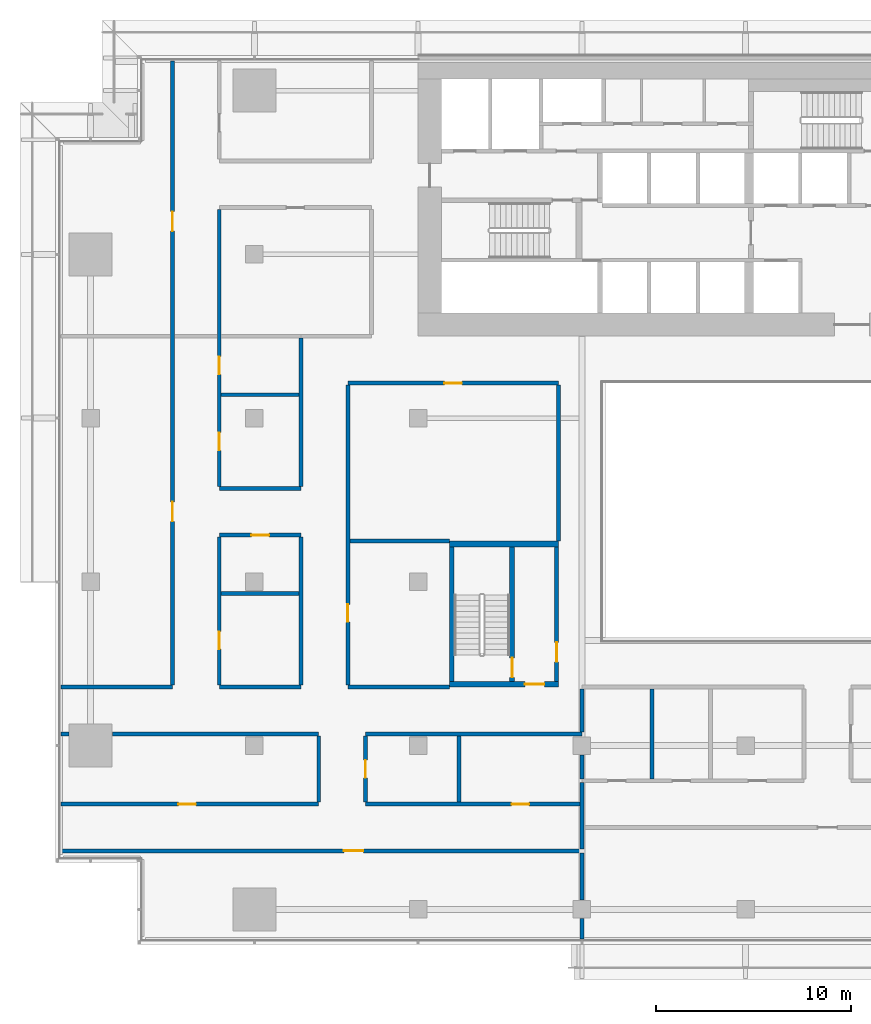
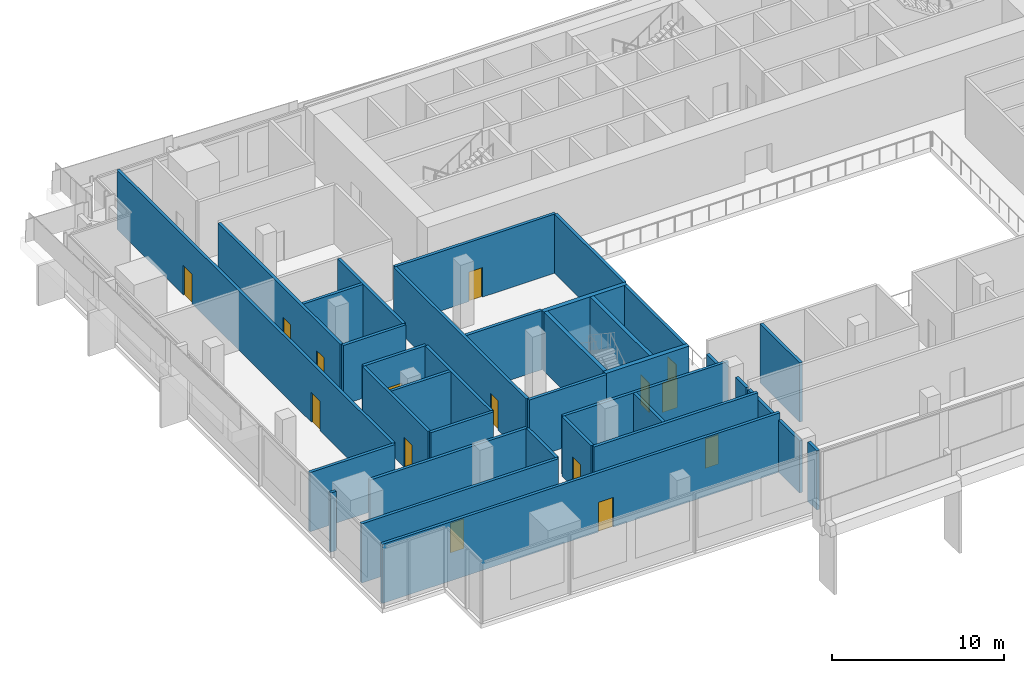
# One storey, part 13 of 24: 36 walls, 15 doors, 15 openings.
"""IFC4 building model written with IfcOpenShell, lengths in metres."""

from ifc_helpers import new_model, si_unit, direction, frame, frame_2d, origin, place, context, subcontext, project, spatial, rectangle, extrude, material, layer, layer_set, type_object, element, fill, save


model = new_model("IFC4")

# Units and contexts
model_context = context("Model", 3, precision=1e-05, world=origin(), true_north=direction((0.0, 1.0)))
body_context = subcontext(model_context, "Body", "Model", "MODEL_VIEW")
ifc_project = project(units=[si_unit("LENGTHUNIT", "METRE"), si_unit("AREAUNIT", "SQUARE_METRE"), si_unit("VOLUMEUNIT", "CUBIC_METRE"), si_unit("PLANEANGLEUNIT", "RADIAN"), si_unit("MASSUNIT", "GRAM", prefix="KILO")], contexts=[model_context])

# Site, building, storey
site_placement = place(None, origin())
site = spatial("IfcSite", under=ifc_project, at=site_placement, CompositionType="ELEMENT")
building_placement = place(site_placement, origin())
building = spatial("IfcBuilding", under=site, at=building_placement, Name="Saffron Gate Tower", CompositionType="ELEMENT")
storey_placement = place(building_placement, frame((0.0, 0.0, 28.199951171875)))
storey = spatial("IfcBuildingStorey", under=building, at=storey_placement, Name="L05", CompositionType="ELEMENT", Elevation=28.199951171875)

# Wall, opening, door
ifc_material_1 = material(Name="Gypsum board partition on steel studs", Category="steel")
ifc_layer_1 = layer(ifc_material_1, 0.199951171875)
ifc_layer_set_1 = layer_set([ifc_layer_1], Name="CW10 Core partition 200")
wall_type_1 = type_object("IfcWallType", Name="CW10 Core partition 200", PredefinedType="PARTITIONING", material=ifc_layer_set_1)
wall_1_placement = place(storey_placement, frame((73.699951171875, 43.5, 0.0), z_axis=(0.0, 0.0, 1.0), x_axis=(0.0, 1.0, 0.0)))
wall_1 = element("IfcWall", 1, at=wall_1_placement, inside=storey, type_object=wall_type_1, Name="Wall CW10-L05-D-4", PredefinedType="PARTITIONING", context=body_context, shape_type="SweptSolid", body=[
    extrude(rectangle(XDim=6.89990234375, YDim=0.199951171875, at=frame_2d((3.449951171875, 0.0))), origin(), (0.0, 0.0, 1.0), 4.199951171875),
])
opening_1_placement = place(wall_1_placement, frame((1.0, 0.0, 0.0)))
opening_1 = element("IfcOpeningElement", 2, at=opening_1_placement, cuts=wall_1, Name="Opening CR-19", PredefinedType="OPENING", context=body_context, shape_type="SweptSolid", body=[
    extrude(rectangle(XDim=1.0, YDim=2.10009765625, at=frame_2d((0.5, 1.050048828125))), frame((0.0, 0.10986328125, 0.0), z_axis=(0.0, -1.0, 0.0), x_axis=(1.0, 0.0, 0.0)), (0.0, 0.0, 1.0), 0.219970703125),
])
ifc_material_2 = material(Name="Steel fire door set", Category="steel")
door_type_1 = type_object("IfcDoorType", Name="CD4 Lobby door 1000x2100 EI 120", OperationType="NOTDEFINED", PredefinedType="DOOR", material=ifc_material_2)
door_1_placement = place(opening_1_placement, origin())
door_1 = element("IfcDoor", 3, at=door_1_placement, inside=storey, type_object=door_type_1, Name="DOOR CR-19", OperationType="SINGLE_SWING_RIGHT", OverallHeight=2.10009765625, OverallWidth=1.0, PredefinedType="DOOR", context=body_context, shape_type="SweptSolid", body=[
    extrude(rectangle(XDim=1.0, YDim=2.10009765625, at=frame_2d((0.5, 1.050048828125))), frame((0.0, 0.02490234375, 0.0), z_axis=(0.0, -1.0, 0.0), x_axis=(1.0, 0.0, 0.0)), (0.0, 0.0, 1.0), 0.050048828125),
])
fill(opening_1, door_1)

# Wall
ifc_material_3 = material(Name="Concrete C70", Category="concrete")
ifc_layer_2 = layer(ifc_material_3, 0.25)
ifc_layer_set_2 = layer_set([ifc_layer_2], Name="CW2 RC core wall 250 C70")
wall_type_2 = type_object("IfcWallType", Name="CW2 RC core wall 250 C70", PredefinedType="SOLIDWALL", material=ifc_layer_set_2)
wall_2_placement = place(storey_placement, frame((68.324951171875, 43.5, 0.0), z_axis=(0.0, 0.0, 1.0), x_axis=(0.0, 1.0, 0.0)))
element("IfcWall", 4, at=wall_2_placement, inside=storey, type_object=wall_type_2, Name="Wall CW2-L05-D-2", PredefinedType="SOLIDWALL", context=body_context, shape_type="SweptSolid", body=[
    extrude(rectangle(XDim=6.89990234375, YDim=0.25, at=frame_2d((3.449951171875, 0.0))), origin(), (0.0, 0.0, 1.0), 4.199951171875),
])

# Wall, opening, door
wall_3_placement = place(storey_placement, frame((71.425048828125, 43.5, 0.0), z_axis=(0.0, 0.0, 1.0), x_axis=(0.0, 1.0, 0.0)))
wall_3 = element("IfcWall", 5, at=wall_3_placement, inside=storey, type_object=wall_type_2, Name="Wall CW2-L05-D-3", PredefinedType="SOLIDWALL", context=body_context, shape_type="SweptSolid", body=[
    extrude(rectangle(XDim=6.89990234375, YDim=0.25, at=frame_2d((3.449951171875, 0.0))), origin(), (0.0, 0.0, 1.0), 4.199951171875),
])
opening_2_placement = place(wall_3_placement, frame((0.199951171875, 0.0, 0.0)))
opening_2 = element("IfcOpeningElement", 6, at=opening_2_placement, cuts=wall_3, Name="Opening CR-20", PredefinedType="OPENING", context=body_context, shape_type="SweptSolid", body=[
    extrude(rectangle(XDim=1.0, YDim=2.10009765625, at=frame_2d((0.5, 1.050048828125))), frame((0.0, 0.135009765625, 0.0), z_axis=(0.0, -1.0, 0.0), x_axis=(1.0, 0.0, 0.0)), (0.0, 0.0, 1.0), 0.27001953125),
])
door_type_2 = type_object("IfcDoorType", Name="CD5 Stair door 1000x2100 EI 120", OperationType="NOTDEFINED", PredefinedType="DOOR", material=ifc_material_2)
door_2_placement = place(opening_2_placement, origin())
door_2 = element("IfcDoor", 7, at=door_2_placement, inside=storey, type_object=door_type_2, Name="DOOR CR-20", OperationType="SINGLE_SWING_LEFT", OverallHeight=2.10009765625, OverallWidth=1.0, PredefinedType="DOOR", context=body_context, shape_type="SweptSolid", body=[
    extrude(rectangle(XDim=1.0, YDim=2.10009765625, at=frame_2d((0.5, 1.050048828125))), frame((0.0, 0.02490234375, 0.0), z_axis=(0.0, -1.0, 0.0), x_axis=(1.0, 0.0, 0.0)), (0.0, 0.0, 1.0), 0.050048828125),
])
fill(opening_2, door_2)

ifc_layer_3 = layer(ifc_material_3, 0.300048828125)
ifc_layer_set_3 = layer_set([ifc_layer_3], Name="CW5 RC core wall 300 C70")
wall_type_3 = type_object("IfcWallType", Name="CW5 RC core wall 300 C70", PredefinedType="SOLIDWALL", material=ifc_layer_set_3)
wall_4_placement = place(storey_placement, frame((68.199951171875, 43.35009765625, 0.0), z_axis=(0.0, 0.0, 1.0), x_axis=(1.0, 0.0, 0.0)))
wall_4 = element("IfcWall", 8, at=wall_4_placement, inside=storey, type_object=wall_type_3, Name="Wall CW5-L05-D-1", PredefinedType="SOLIDWALL", context=body_context, shape_type="SweptSolid", body=[
    extrude(rectangle(XDim=5.60009765625, YDim=0.300048828125, at=frame_2d((2.800048828125, 0.0))), origin(), (0.0, 0.0, 1.0), 4.199951171875),
])
opening_3_placement = place(wall_4_placement, frame((3.875, 0.0, 0.0)))
opening_3 = element("IfcOpeningElement", 9, at=opening_3_placement, cuts=wall_4, Name="Opening CR-18", PredefinedType="OPENING", context=body_context, shape_type="SweptSolid", body=[
    extrude(rectangle(XDim=1.0, YDim=2.10009765625, at=frame_2d((0.5, 1.050048828125))), frame((0.0, 0.16015625, 0.0), z_axis=(0.0, -1.0, 0.0), x_axis=(1.0, 0.0, 0.0)), (0.0, 0.0, 1.0), 0.320068359375),
])
door_3_placement = place(opening_3_placement, origin())
door_3 = element("IfcDoor", 10, at=door_3_placement, inside=storey, type_object=door_type_1, Name="DOOR CR-18", OperationType="SINGLE_SWING_RIGHT", OverallHeight=2.10009765625, OverallWidth=1.0, PredefinedType="DOOR", context=body_context, shape_type="SweptSolid", body=[
    extrude(rectangle(XDim=1.0, YDim=2.10009765625, at=frame_2d((0.5, 1.050048828125))), frame((0.0, 0.02490234375, 0.0), z_axis=(0.0, -1.0, 0.0), x_axis=(1.0, 0.0, 0.0)), (0.0, 0.0, 1.0), 0.050048828125),
])
fill(opening_3, door_3)

# Wall
wall_5_placement = place(storey_placement, frame((68.199951171875, 50.550048828125, 0.0), z_axis=(0.0, 0.0, 1.0), x_axis=(1.0, 0.0, 0.0)))
element("IfcWall", 11, at=wall_5_placement, inside=storey, type_object=wall_type_3, Name="Wall CW5-L05-D-5", PredefinedType="SOLIDWALL", context=body_context, shape_type="SweptSolid", body=[
    extrude(rectangle(XDim=5.60009765625, YDim=0.300048828125, at=frame_2d((2.800048828125, 0.0))), origin(), (0.0, 0.0, 1.0), 4.199951171875),
])

# Wall, opening, door
ifc_material_4 = material(Name="Clay brick masonry, rendered", Category="masonry")
ifc_layer_4 = layer(ifc_material_4, 0.199951171875)
ifc_layer_set_4 = layer_set([ifc_layer_4], Name="PW3 Corridor wall 200")
wall_type_4 = type_object("IfcWallType", Name="PW3 Corridor wall 200", PredefinedType="PARTITIONING", material=ifc_layer_set_4)
wall_6_placement = place(storey_placement, frame((75.0, 34.800048828125, 0.0), z_axis=(0.0, 0.0, 1.0), x_axis=(-1.0, 0.0, 0.0)))
wall_6 = element("IfcWall", 12, at=wall_6_placement, inside=storey, type_object=wall_type_4, Name="Wall S2-1", PredefinedType="PARTITIONING", context=body_context, shape_type="SweptSolid", body=[
    extrude(rectangle(XDim=26.719970703125, YDim=0.199951171875, at=frame_2d((13.35986328125, 0.0))), origin(), (0.0, 0.0, 1.0), 4.199951171875),
])
opening_4_placement = place(wall_6_placement, frame((11.203857421875, 0.0, 0.0)))
opening_4 = element("IfcOpeningElement", 13, at=opening_4_placement, cuts=wall_6, Name="Opening S2-32", PredefinedType="OPENING", context=body_context, shape_type="SweptSolid", body=[
    extrude(rectangle(XDim=1.0, YDim=2.10009765625, at=frame_2d((0.5, 1.050048828125))), frame((0.0, 0.10986328125, 0.0), z_axis=(0.0, -1.0, 0.0), x_axis=(1.0, 0.0, 0.0)), (0.0, 0.0, 1.0), 0.219970703125),
])
ifc_material_5 = material(Name="Timber door set", Category="wood")
door_type_3 = type_object("IfcDoorType", Name="HD1 Hall door 1200x2100", OperationType="NOTDEFINED", PredefinedType="DOOR", material=ifc_material_5)
door_4_placement = place(opening_4_placement, origin())
door_4 = element("IfcDoor", 14, at=door_4_placement, inside=storey, type_object=door_type_3, Name="Door S2-32", OperationType="SINGLE_SWING_LEFT", OverallHeight=2.10009765625, OverallWidth=1.0, PredefinedType="DOOR", context=body_context, shape_type="SweptSolid", body=[
    extrude(rectangle(XDim=1.0, YDim=2.10009765625, at=frame_2d((0.5, 1.050048828125))), frame((0.0, 0.02490234375, 0.0), z_axis=(0.0, -1.0, 0.0), x_axis=(1.0, 0.0, 0.0)), (0.0, 0.0, 1.0), 0.050048828125),
])
fill(opening_4, door_4)

wall_7_placement = place(storey_placement, frame((48.280029296875, 37.199951171875, 0.0), z_axis=(0.0, 0.0, 1.0), x_axis=(1.0, 0.0, 0.0)))
wall_7 = element("IfcWall", 15, at=wall_7_placement, inside=storey, type_object=wall_type_4, Name="Wall S2-4", PredefinedType="PARTITIONING", context=body_context, shape_type="SweptSolid", body=[
    extrude(rectangle(XDim=13.219970703125, YDim=0.199951171875, at=frame_2d((6.60986328125, 0.0))), origin(), (0.0, 0.0, 1.0), 4.199951171875),
])
opening_5_placement = place(wall_7_placement, frame((6.02001953125, 0.0, 0.0)))
opening_5 = element("IfcOpeningElement", 16, at=opening_5_placement, cuts=wall_7, Name="Opening S2-6", PredefinedType="OPENING", context=body_context, shape_type="SweptSolid", body=[
    extrude(rectangle(XDim=0.89990234375, YDim=2.10009765625, at=frame_2d((0.449951171875, 1.050048828125))), frame((0.0, 0.10986328125, 0.0), z_axis=(0.0, -1.0, 0.0), x_axis=(1.0, 0.0, 0.0)), (0.0, 0.0, 1.0), 0.219970703125),
])
door_type_4 = type_object("IfcDoorType", Name="RD1 Room door 900x2100", OperationType="NOTDEFINED", PredefinedType="DOOR", material=ifc_material_5)
door_5_placement = place(opening_5_placement, origin())
door_5 = element("IfcDoor", 17, at=door_5_placement, inside=storey, type_object=door_type_4, Name="Door S2-6", OperationType="SINGLE_SWING_LEFT", OverallHeight=2.10009765625, OverallWidth=0.89990234375, PredefinedType="DOOR", context=body_context, shape_type="SweptSolid", body=[
    extrude(rectangle(XDim=0.89990234375, YDim=2.10009765625, at=frame_2d((0.449951171875, 1.050048828125))), frame((0.0, 0.02490234375, 0.0), z_axis=(0.0, -1.0, 0.0), x_axis=(1.0, 0.0, 0.0)), (0.0, 0.0, 1.0), 0.050048828125),
])
fill(opening_5, door_5)

wall_8_placement = place(storey_placement, frame((63.89990234375, 37.199951171875, 0.0), z_axis=(0.0, 0.0, 1.0), x_axis=(1.0, 0.0, 0.0)))
wall_8 = element("IfcWall", 18, at=wall_8_placement, inside=storey, type_object=wall_type_4, Name="Wall S2-5", PredefinedType="PARTITIONING", context=body_context, shape_type="SweptSolid", body=[
    extrude(rectangle(XDim=11.0, YDim=0.199951171875, at=frame_2d((5.5, 0.0))), origin(), (0.0, 0.0, 1.0), 4.199951171875),
])
opening_6_placement = place(wall_8_placement, frame((7.5, 0.0, 0.0)))
opening_6 = element("IfcOpeningElement", 19, at=opening_6_placement, cuts=wall_8, Name="Opening S2-8", PredefinedType="OPENING", context=body_context, shape_type="SweptSolid", body=[
    extrude(rectangle(XDim=0.89990234375, YDim=2.10009765625, at=frame_2d((0.449951171875, 1.050048828125))), frame((0.0, 0.10986328125, 0.0), z_axis=(0.0, -1.0, 0.0), x_axis=(1.0, 0.0, 0.0)), (0.0, 0.0, 1.0), 0.219970703125),
])
door_6_placement = place(opening_6_placement, origin())
door_6 = element("IfcDoor", 20, at=door_6_placement, inside=storey, type_object=door_type_4, Name="Door S2-8", OperationType="SINGLE_SWING_RIGHT", OverallHeight=2.10009765625, OverallWidth=0.89990234375, PredefinedType="DOOR", context=body_context, shape_type="SweptSolid", body=[
    extrude(rectangle(XDim=0.89990234375, YDim=2.10009765625, at=frame_2d((0.449951171875, 1.050048828125))), frame((0.0, 0.02490234375, 0.0), z_axis=(0.0, -1.0, 0.0), x_axis=(1.0, 0.0, 0.0)), (0.0, 0.0, 1.0), 0.050048828125),
])
fill(opening_6, door_6)

# Walls
wall_9_placement = place(storey_placement, frame((48.280029296875, 40.800048828125, 0.0), z_axis=(0.0, 0.0, 1.0), x_axis=(1.0, 0.0, 0.0)))
element("IfcWall", 21, at=wall_9_placement, inside=storey, type_object=wall_type_4, Name="Wall S2-10", PredefinedType="PARTITIONING", context=body_context, shape_type="SweptSolid", body=[
    extrude(rectangle(XDim=0.39990234375, YDim=0.199951171875, at=frame_2d((0.199951171875, 0.0))), origin(), (0.0, 0.0, 1.0), 4.199951171875),
])
wall_10_placement = place(storey_placement, frame((50.919921875, 40.800048828125, 0.0), z_axis=(0.0, 0.0, 1.0), x_axis=(1.0, 0.0, 0.0)))
element("IfcWall", 22, at=wall_10_placement, inside=storey, type_object=wall_type_4, Name="Wall S2-11", PredefinedType="PARTITIONING", context=body_context, shape_type="SweptSolid", body=[
    extrude(rectangle(XDim=10.580078125, YDim=0.199951171875, at=frame_2d((5.2900390625, 0.0))), origin(), (0.0, 0.0, 1.0), 4.199951171875),
])
wall_11_placement = place(storey_placement, frame((63.89990234375, 40.800048828125, 0.0), z_axis=(0.0, 0.0, 1.0), x_axis=(1.0, 0.0, 0.0)))
element("IfcWall", 23, at=wall_11_placement, inside=storey, type_object=wall_type_4, Name="Wall S2-12", PredefinedType="PARTITIONING", context=body_context, shape_type="SweptSolid", body=[
    extrude(rectangle(XDim=11.10009765625, YDim=0.199951171875, at=frame_2d((5.550048828125, 0.0))), origin(), (0.0, 0.0, 1.0), 4.199951171875),
])
wall_12_placement = place(storey_placement, frame((48.280029296875, 43.199951171875, 0.0), z_axis=(0.0, 0.0, 1.0), x_axis=(1.0, 0.0, 0.0)))
element("IfcWall", 24, at=wall_12_placement, inside=storey, type_object=wall_type_4, Name="Wall S2-16", PredefinedType="PARTITIONING", context=body_context, shape_type="SweptSolid", body=[
    extrude(rectangle(XDim=5.719970703125, YDim=0.199951171875, at=frame_2d((2.85986328125, 0.0))), origin(), (0.0, 0.0, 1.0), 4.199951171875),
])
wall_13_placement = place(storey_placement, frame((56.39990234375, 43.199951171875, 0.0), z_axis=(0.0, 0.0, 1.0), x_axis=(1.0, 0.0, 0.0)))
element("IfcWall", 25, at=wall_13_placement, inside=storey, type_object=wall_type_4, Name="Wall S2-17", PredefinedType="PARTITIONING", context=body_context, shape_type="SweptSolid", body=[
    extrude(rectangle(XDim=4.2001953125, YDim=0.199951171875, at=frame_2d((2.10009765625, 0.0))), origin(), (0.0, 0.0, 1.0), 4.199951171875),
])
wall_14_placement = place(storey_placement, frame((63.0, 43.199951171875, 0.0), z_axis=(0.0, 0.0, 1.0), x_axis=(1.0, 0.0, 0.0)))
element("IfcWall", 26, at=wall_14_placement, inside=storey, type_object=wall_type_4, Name="Wall S2-18", PredefinedType="PARTITIONING", context=body_context, shape_type="SweptSolid", body=[
    extrude(rectangle(XDim=5.199951171875, YDim=0.199951171875, at=frame_2d((2.60009765625, 0.0))), origin(), (0.0, 0.0, 1.0), 4.199951171875),
])

# Wall, opening, door
wall_15_placement = place(storey_placement, frame((60.60009765625, 51.0, 0.0), z_axis=(0.0, 0.0, 1.0), x_axis=(-1.0, 0.0, 0.0)))
wall_15 = element("IfcWall", 27, at=wall_15_placement, inside=storey, type_object=wall_type_4, Name="Wall S2-28", PredefinedType="PARTITIONING", context=body_context, shape_type="SweptSolid", body=[
    extrude(rectangle(XDim=4.2001953125, YDim=0.199951171875, at=frame_2d((2.10009765625, 0.0))), origin(), (0.0, 0.0, 1.0), 4.199951171875),
])
opening_7_placement = place(wall_15_placement, frame((1.64990234375, 0.0, 0.0)))
opening_7 = element("IfcOpeningElement", 28, at=opening_7_placement, cuts=wall_15, Name="Opening S2-19", PredefinedType="OPENING", context=body_context, shape_type="SweptSolid", body=[
    extrude(rectangle(XDim=0.89990234375, YDim=2.10009765625, at=frame_2d((0.449951171875, 1.050048828125))), frame((0.0, 0.10986328125, 0.0), z_axis=(0.0, -1.0, 0.0), x_axis=(1.0, 0.0, 0.0)), (0.0, 0.0, 1.0), 0.219970703125),
])
door_7_placement = place(opening_7_placement, origin())
door_7 = element("IfcDoor", 29, at=door_7_placement, inside=storey, type_object=door_type_4, Name="Door S2-19", OperationType="SINGLE_SWING_RIGHT", OverallHeight=2.10009765625, OverallWidth=0.89990234375, PredefinedType="DOOR", context=body_context, shape_type="SweptSolid", body=[
    extrude(rectangle(XDim=0.89990234375, YDim=2.10009765625, at=frame_2d((0.449951171875, 1.050048828125))), frame((0.0, 0.02490234375, 0.0), z_axis=(0.0, -1.0, 0.0), x_axis=(1.0, 0.0, 0.0)), (0.0, 0.0, 1.0), 0.050048828125),
])
fill(opening_7, door_7)

# Wall
wall_16_placement = place(storey_placement, frame((56.39990234375, 53.39990234375, 0.0), z_axis=(0.0, 0.0, 1.0), x_axis=(1.0, 0.0, 0.0)))
element("IfcWall", 30, at=wall_16_placement, inside=storey, type_object=wall_type_4, Name="Wall S2-31", PredefinedType="PARTITIONING", context=body_context, shape_type="SweptSolid", body=[
    extrude(rectangle(XDim=4.2001953125, YDim=0.199951171875, at=frame_2d((2.10009765625, 0.0))), origin(), (0.0, 0.0, 1.0), 4.199951171875),
])

# Wall, opening, door
wall_17_placement = place(storey_placement, frame((73.800048828125, 58.800048828125, 0.0), z_axis=(0.0, 0.0, 1.0), x_axis=(-1.0, 0.0, 0.0)))
wall_17 = element("IfcWall", 31, at=wall_17_placement, inside=storey, type_object=wall_type_4, Name="Wall S2-38", PredefinedType="PARTITIONING", context=body_context, shape_type="SweptSolid", body=[
    extrude(rectangle(XDim=10.800048828125, YDim=0.199951171875, at=frame_2d((5.39990234375, 0.0))), origin(), (0.0, 0.0, 1.0), 4.199951171875),
])
opening_8_placement = place(wall_17_placement, frame((4.949951171875, 0.0, 0.0)))
opening_8 = element("IfcOpeningElement", 32, at=opening_8_placement, cuts=wall_17, Name="Opening S2-5", PredefinedType="OPENING", context=body_context, shape_type="SweptSolid", body=[
    extrude(rectangle(XDim=0.89990234375, YDim=2.10009765625, at=frame_2d((0.449951171875, 1.050048828125))), frame((0.0, 0.10986328125, 0.0), z_axis=(0.0, -1.0, 0.0), x_axis=(1.0, 0.0, 0.0)), (0.0, 0.0, 1.0), 0.219970703125),
])
door_8_placement = place(opening_8_placement, origin())
door_8 = element("IfcDoor", 33, at=door_8_placement, inside=storey, type_object=door_type_4, Name="Door S2-5", OperationType="SINGLE_SWING_LEFT", OverallHeight=2.10009765625, OverallWidth=0.89990234375, PredefinedType="DOOR", context=body_context, shape_type="SweptSolid", body=[
    extrude(rectangle(XDim=0.89990234375, YDim=2.10009765625, at=frame_2d((0.449951171875, 1.050048828125))), frame((0.0, 0.02490234375, 0.0), z_axis=(0.0, -1.0, 0.0), x_axis=(1.0, 0.0, 0.0)), (0.0, 0.0, 1.0), 0.050048828125),
])
fill(opening_8, door_8)

# Wall, openings, doors
wall_18_placement = place(storey_placement, frame((54.0, 43.300048828125, 0.0), z_axis=(0.0, 0.0, 1.0), x_axis=(0.0, 1.0, 0.0)))
wall_18 = element("IfcWall", 34, at=wall_18_placement, inside=storey, type_object=wall_type_4, Name="Wall S2-52", PredefinedType="PARTITIONING", context=body_context, shape_type="SweptSolid", body=[
    extrude(rectangle(XDim=32.02001953125, YDim=0.199951171875, at=frame_2d((16.010009765625, 0.0))), origin(), (0.0, 0.0, 1.0), 4.199951171875),
])
opening_9_placement = place(wall_18_placement, frame((8.39990234375, 0.0, 0.0)))
opening_9 = element("IfcOpeningElement", 35, at=opening_9_placement, cuts=wall_18, Name="Opening S2-35", PredefinedType="OPENING", context=body_context, shape_type="SweptSolid", body=[
    extrude(rectangle(XDim=1.0, YDim=2.10009765625, at=frame_2d((0.5, 1.050048828125))), frame((0.0, 0.10986328125, 0.0), z_axis=(0.0, -1.0, 0.0), x_axis=(1.0, 0.0, 0.0)), (0.0, 0.0, 1.0), 0.219970703125),
])
opening_10_placement = place(wall_18_placement, frame((23.29150390625, 0.0, 0.0)))
opening_10 = element("IfcOpeningElement", 36, at=opening_10_placement, cuts=wall_18, Name="Opening S2-36", PredefinedType="OPENING", context=body_context, shape_type="SweptSolid", body=[
    extrude(rectangle(XDim=1.0, YDim=2.10009765625, at=frame_2d((0.5, 1.050048828125))), frame((0.0, 0.10986328125, 0.0), z_axis=(0.0, -1.0, 0.0), x_axis=(1.0, 0.0, 0.0)), (0.0, 0.0, 1.0), 0.219970703125),
])
door_9_placement = place(opening_9_placement, origin())
door_9 = element("IfcDoor", 37, at=door_9_placement, inside=storey, type_object=door_type_3, Name="Door S2-35", OperationType="SINGLE_SWING_LEFT", OverallHeight=2.10009765625, OverallWidth=1.0, PredefinedType="DOOR", context=body_context, shape_type="SweptSolid", body=[
    extrude(rectangle(XDim=1.0, YDim=2.10009765625, at=frame_2d((0.5, 1.050048828125))), frame((0.0, 0.02490234375, 0.0), z_axis=(0.0, -1.0, 0.0), x_axis=(1.0, 0.0, 0.0)), (0.0, 0.0, 1.0), 0.050048828125),
])
fill(opening_9, door_9)
door_10_placement = place(opening_10_placement, origin())
door_10 = element("IfcDoor", 38, at=door_10_placement, inside=storey, type_object=door_type_3, Name="Door S2-36", OperationType="SINGLE_SWING_LEFT", OverallHeight=2.10009765625, OverallWidth=1.0, PredefinedType="DOOR", context=body_context, shape_type="SweptSolid", body=[
    extrude(rectangle(XDim=1.0, YDim=2.10009765625, at=frame_2d((0.5, 1.050048828125))), frame((0.0, 0.02490234375, 0.0), z_axis=(0.0, -1.0, 0.0), x_axis=(1.0, 0.0, 0.0)), (0.0, 0.0, 1.0), 0.050048828125),
])
fill(opening_10, door_10)

# Wall, opening, door
wall_19_placement = place(storey_placement, frame((56.39990234375, 50.89990234375, 0.0), z_axis=(0.0, 0.0, 1.0), x_axis=(0.0, -1.0, 0.0)))
wall_19 = element("IfcWall", 39, at=wall_19_placement, inside=storey, type_object=wall_type_4, Name="Wall S2-53", PredefinedType="PARTITIONING", context=body_context, shape_type="SweptSolid", body=[
    extrude(rectangle(XDim=7.599853515625, YDim=0.199951171875, at=frame_2d((3.7998046875, 0.0))), origin(), (0.0, 0.0, 1.0), 4.199951171875),
])
opening_11_placement = place(wall_19_placement, frame((4.85009765625, 0.0, 0.0)))
opening_11 = element("IfcOpeningElement", 40, at=opening_11_placement, cuts=wall_19, Name="Opening S2-18", PredefinedType="OPENING", context=body_context, shape_type="SweptSolid", body=[
    extrude(rectangle(XDim=0.89990234375, YDim=2.10009765625, at=frame_2d((0.449951171875, 1.050048828125))), frame((0.0, 0.10986328125, 0.0), z_axis=(0.0, -1.0, 0.0), x_axis=(1.0, 0.0, 0.0)), (0.0, 0.0, 1.0), 0.219970703125),
])
door_11_placement = place(opening_11_placement, origin())
door_11 = element("IfcDoor", 41, at=door_11_placement, inside=storey, type_object=door_type_4, Name="Door S2-18", OperationType="SINGLE_SWING_RIGHT", OverallHeight=2.10009765625, OverallWidth=0.89990234375, PredefinedType="DOOR", context=body_context, shape_type="SweptSolid", body=[
    extrude(rectangle(XDim=0.89990234375, YDim=2.10009765625, at=frame_2d((0.449951171875, 1.050048828125))), frame((0.0, 0.02490234375, 0.0), z_axis=(0.0, -1.0, 0.0), x_axis=(1.0, 0.0, 0.0)), (0.0, 0.0, 1.0), 0.050048828125),
])
fill(opening_11, door_11)

# Wall, openings, doors
wall_20_placement = place(storey_placement, frame((56.39990234375, 67.699951171875, 0.0), z_axis=(0.0, 0.0, 1.0), x_axis=(0.0, -1.0, 0.0)))
wall_20 = element("IfcWall", 42, at=wall_20_placement, inside=storey, type_object=wall_type_4, Name="Wall S2-54", PredefinedType="PARTITIONING", context=body_context, shape_type="SweptSolid", body=[
    extrude(rectangle(XDim=14.199951171875, YDim=0.199951171875, at=frame_2d((7.10009765625, 0.0))), origin(), (0.0, 0.0, 1.0), 4.199951171875),
])
opening_12_placement = place(wall_20_placement, frame((7.550048828125, 0.0, 0.0)))
opening_12 = element("IfcOpeningElement", 43, at=opening_12_placement, cuts=wall_20, Name="Opening S2-21", PredefinedType="OPENING", context=body_context, shape_type="SweptSolid", body=[
    extrude(rectangle(XDim=0.89990234375, YDim=2.10009765625, at=frame_2d((0.449951171875, 1.050048828125))), frame((0.0, 0.10986328125, 0.0), z_axis=(0.0, -1.0, 0.0), x_axis=(1.0, 0.0, 0.0)), (0.0, 0.0, 1.0), 0.219970703125),
])
opening_13_placement = place(wall_20_placement, frame((11.449951171875, 0.0, 0.0)))
opening_13 = element("IfcOpeningElement", 44, at=opening_13_placement, cuts=wall_20, Name="Opening S2-20", PredefinedType="OPENING", context=body_context, shape_type="SweptSolid", body=[
    extrude(rectangle(XDim=0.89990234375, YDim=2.10009765625, at=frame_2d((0.449951171875, 1.050048828125))), frame((0.0, 0.10986328125, 0.0), z_axis=(0.0, -1.0, 0.0), x_axis=(1.0, 0.0, 0.0)), (0.0, 0.0, 1.0), 0.219970703125),
])
door_12_placement = place(opening_12_placement, origin())
door_12 = element("IfcDoor", 45, at=door_12_placement, inside=storey, type_object=door_type_4, Name="Door S2-21", OperationType="SINGLE_SWING_LEFT", OverallHeight=2.10009765625, OverallWidth=0.89990234375, PredefinedType="DOOR", context=body_context, shape_type="SweptSolid", body=[
    extrude(rectangle(XDim=0.89990234375, YDim=2.10009765625, at=frame_2d((0.449951171875, 1.050048828125))), frame((0.0, 0.02490234375, 0.0), z_axis=(0.0, -1.0, 0.0), x_axis=(1.0, 0.0, 0.0)), (0.0, 0.0, 1.0), 0.050048828125),
])
fill(opening_12, door_12)
door_13_placement = place(opening_13_placement, origin())
door_13 = element("IfcDoor", 46, at=door_13_placement, inside=storey, type_object=door_type_4, Name="Door S2-20", OperationType="SINGLE_SWING_RIGHT", OverallHeight=2.10009765625, OverallWidth=0.89990234375, PredefinedType="DOOR", context=body_context, shape_type="SweptSolid", body=[
    extrude(rectangle(XDim=0.89990234375, YDim=2.10009765625, at=frame_2d((0.449951171875, 1.050048828125))), frame((0.0, 0.02490234375, 0.0), z_axis=(0.0, -1.0, 0.0), x_axis=(1.0, 0.0, 0.0)), (0.0, 0.0, 1.0), 0.050048828125),
])
fill(opening_13, door_13)

# Walls
wall_21_placement = place(storey_placement, frame((60.60009765625, 50.89990234375, 0.0), z_axis=(0.0, 0.0, 1.0), x_axis=(0.0, -1.0, 0.0)))
element("IfcWall", 47, at=wall_21_placement, inside=storey, type_object=wall_type_4, Name="Wall S2-56", PredefinedType="PARTITIONING", context=body_context, shape_type="SweptSolid", body=[
    extrude(rectangle(XDim=7.599853515625, YDim=0.199951171875, at=frame_2d((3.7998046875, 0.0))), origin(), (0.0, 0.0, 1.0), 4.199951171875),
])
wall_22_placement = place(storey_placement, frame((60.60009765625, 61.10009765625, 0.0), z_axis=(0.0, 0.0, 1.0), x_axis=(0.0, -1.0, 0.0)))
element("IfcWall", 48, at=wall_22_placement, inside=storey, type_object=wall_type_4, Name="Wall S2-57", PredefinedType="PARTITIONING", context=body_context, shape_type="SweptSolid", body=[
    extrude(rectangle(XDim=7.60009765625, YDim=0.199951171875, at=frame_2d((3.800048828125, 0.0))), origin(), (0.0, 0.0, 1.0), 4.199951171875),
])
wall_23_placement = place(storey_placement, frame((61.5, 40.699951171875, 0.0), z_axis=(0.0, 0.0, 1.0), x_axis=(0.0, -1.0, 0.0)))
element("IfcWall", 49, at=wall_23_placement, inside=storey, type_object=wall_type_4, Name="Wall S2-58", PredefinedType="PARTITIONING", context=body_context, shape_type="SweptSolid", body=[
    extrude(rectangle(XDim=3.39990234375, YDim=0.199951171875, at=frame_2d((1.699951171875, 0.0))), origin(), (0.0, 0.0, 1.0), 4.199951171875),
])

# Wall, opening, door
wall_24_placement = place(storey_placement, frame((63.0, 58.699951171875, 0.0), z_axis=(0.0, 0.0, 1.0), x_axis=(0.0, -1.0, 0.0)))
wall_24 = element("IfcWall", 50, at=wall_24_placement, inside=storey, type_object=wall_type_4, Name="Wall S2-59", PredefinedType="PARTITIONING", context=body_context, shape_type="SweptSolid", body=[
    extrude(rectangle(XDim=15.39990234375, YDim=0.199951171875, at=frame_2d((7.699951171875, 0.0))), origin(), (0.0, 0.0, 1.0), 4.199951171875),
])
opening_14_placement = place(wall_24_placement, frame((11.25, 0.0, 0.0)))
opening_14 = element("IfcOpeningElement", 51, at=opening_14_placement, cuts=wall_24, Name="Opening S2-31", PredefinedType="OPENING", context=body_context, shape_type="SweptSolid", body=[
    extrude(rectangle(XDim=0.89990234375, YDim=2.10009765625, at=frame_2d((0.449951171875, 1.050048828125))), frame((0.0, 0.10986328125, 0.0), z_axis=(0.0, -1.0, 0.0), x_axis=(1.0, 0.0, 0.0)), (0.0, 0.0, 1.0), 0.219970703125),
])
door_type_5 = type_object("IfcDoorType", Name="SD1 Service door 900x2100", OperationType="NOTDEFINED", PredefinedType="DOOR", material=ifc_material_2)
door_14_placement = place(opening_14_placement, origin())
door_14 = element("IfcDoor", 52, at=door_14_placement, inside=storey, type_object=door_type_5, Name="Door S2-31", OperationType="SINGLE_SWING_RIGHT", OverallHeight=2.10009765625, OverallWidth=0.89990234375, PredefinedType="DOOR", context=body_context, shape_type="SweptSolid", body=[
    extrude(rectangle(XDim=0.89990234375, YDim=2.10009765625, at=frame_2d((0.449951171875, 1.050048828125))), frame((0.0, 0.02490234375, 0.0), z_axis=(0.0, -1.0, 0.0), x_axis=(1.0, 0.0, 0.0)), (0.0, 0.0, 1.0), 0.050048828125),
])
fill(opening_14, door_14)

wall_25_placement = place(storey_placement, frame((63.89990234375, 40.699951171875, 0.0), z_axis=(0.0, 0.0, 1.0), x_axis=(0.0, -1.0, 0.0)))
wall_25 = element("IfcWall", 53, at=wall_25_placement, inside=storey, type_object=wall_type_4, Name="Wall S2-60", PredefinedType="PARTITIONING", context=body_context, shape_type="SweptSolid", body=[
    extrude(rectangle(XDim=3.39990234375, YDim=0.199951171875, at=frame_2d((1.699951171875, 0.0))), origin(), (0.0, 0.0, 1.0), 4.199951171875),
])
opening_15_placement = place(wall_25_placement, frame((1.25, 0.0, 0.0)))
opening_15 = element("IfcOpeningElement", 54, at=opening_15_placement, cuts=wall_25, Name="Opening S2-7", PredefinedType="OPENING", context=body_context, shape_type="SweptSolid", body=[
    extrude(rectangle(XDim=0.89990234375, YDim=2.10009765625, at=frame_2d((0.449951171875, 1.050048828125))), frame((0.0, 0.10986328125, 0.0), z_axis=(0.0, -1.0, 0.0), x_axis=(1.0, 0.0, 0.0)), (0.0, 0.0, 1.0), 0.219970703125),
])
door_15_placement = place(opening_15_placement, origin())
door_15 = element("IfcDoor", 55, at=door_15_placement, inside=storey, type_object=door_type_4, Name="Door S2-7", OperationType="SINGLE_SWING_LEFT", OverallHeight=2.10009765625, OverallWidth=0.89990234375, PredefinedType="DOOR", context=body_context, shape_type="SweptSolid", body=[
    extrude(rectangle(XDim=0.89990234375, YDim=2.10009765625, at=frame_2d((0.449951171875, 1.050048828125))), frame((0.0, 0.02490234375, 0.0), z_axis=(0.0, -1.0, 0.0), x_axis=(1.0, 0.0, 0.0)), (0.0, 0.0, 1.0), 0.050048828125),
])
fill(opening_15, door_15)

# Walls
wall_26_placement = place(storey_placement, frame((73.800048828125, 58.699951171875, 0.0), z_axis=(0.0, 0.0, 1.0), x_axis=(0.0, -1.0, 0.0)))
element("IfcWall", 56, at=wall_26_placement, inside=storey, type_object=wall_type_4, Name="Wall S2-64", PredefinedType="PARTITIONING", context=body_context, shape_type="SweptSolid", body=[
    extrude(rectangle(XDim=8.0, YDim=0.199951171875, at=frame_2d((4.0, 0.0))), origin(), (0.0, 0.0, 1.0), 4.199951171875),
])
wall_27_placement = place(storey_placement, frame((75.0, 38.300048828125, 0.0), z_axis=(0.0, 0.0, 1.0), x_axis=(0.0, -1.0, 0.0)))
element("IfcWall", 57, at=wall_27_placement, inside=storey, type_object=wall_type_4, Name="Wall S2-65", PredefinedType="PARTITIONING", context=body_context, shape_type="SweptSolid", body=[
    extrude(rectangle(XDim=3.400146484375, YDim=0.199951171875, at=frame_2d((1.7001953125, 0.0))), origin(), (0.0, 0.0, 1.0), 3.699951171875),
])
wall_28_placement = place(storey_placement, frame((75.0, 43.10009765625, 0.0), z_axis=(0.0, 0.0, 1.0), x_axis=(0.0, -1.0, 0.0)))
element("IfcWall", 58, at=wall_28_placement, inside=storey, type_object=wall_type_4, Name="Wall S2-66", PredefinedType="PARTITIONING", context=body_context, shape_type="SweptSolid", body=[
    extrude(rectangle(XDim=2.2001953125, YDim=0.199951171875, at=frame_2d((1.10009765625, 0.0))), origin(), (0.0, 0.0, 1.0), 3.300048828125),
])
ifc_layer_5 = layer(ifc_material_4, 0.199951171875)
ifc_layer_set_5 = layer_set([ifc_layer_5], Name="PW5 Room wall 200")
wall_type_5 = type_object("IfcWallType", Name="PW5 Room wall 200", PredefinedType="PARTITIONING", material=ifc_layer_set_5)
wall_29_placement = place(storey_placement, frame((56.5, 48.0, 0.0), z_axis=(0.0, 0.0, 1.0), x_axis=(1.0, 0.0, 0.0)))
element("IfcWall", 59, at=wall_29_placement, inside=storey, type_object=wall_type_5, Name="Wall S2-25", PredefinedType="PARTITIONING", context=body_context, shape_type="SweptSolid", body=[
    extrude(rectangle(XDim=4.0, YDim=0.199951171875, at=frame_2d((2.0, 0.0))), origin(), (0.0, 0.0, 1.0), 4.199951171875),
])
wall_30_placement = place(storey_placement, frame((63.10009765625, 50.699951171875, 0.0), z_axis=(0.0, 0.0, 1.0), x_axis=(1.0, 0.0, 0.0)))
element("IfcWall", 60, at=wall_30_placement, inside=storey, type_object=wall_type_5, Name="Wall S2-27", PredefinedType="PARTITIONING", context=body_context, shape_type="SweptSolid", body=[
    extrude(rectangle(XDim=5.099853515625, YDim=0.199951171875, at=frame_2d((2.5498046875, 0.0))), origin(), (0.0, 0.0, 1.0), 4.199951171875),
])
wall_31_placement = place(storey_placement, frame((56.5, 58.199951171875, 0.0), z_axis=(0.0, 0.0, 1.0), x_axis=(1.0, 0.0, 0.0)))
element("IfcWall", 61, at=wall_31_placement, inside=storey, type_object=wall_type_5, Name="Wall S2-36", PredefinedType="PARTITIONING", context=body_context, shape_type="SweptSolid", body=[
    extrude(rectangle(XDim=4.0, YDim=0.199951171875, at=frame_2d((2.0, 0.0))), origin(), (0.0, 0.0, 1.0), 4.199951171875),
])
wall_32_placement = place(storey_placement, frame((68.699951171875, 40.699951171875, 0.0), z_axis=(0.0, 0.0, 1.0), x_axis=(0.0, -1.0, 0.0)))
element("IfcWall", 62, at=wall_32_placement, inside=storey, type_object=wall_type_5, Name="Wall S2-63", PredefinedType="PARTITIONING", context=body_context, shape_type="SweptSolid", body=[
    extrude(rectangle(XDim=3.39990234375, YDim=0.199951171875, at=frame_2d((1.699951171875, 0.0))), origin(), (0.0, 0.0, 1.0), 4.199951171875),
])
wall_33_placement = place(storey_placement, frame((75.0, 31.330078125, 0.0), z_axis=(0.0, 0.0, 1.0), x_axis=(0.0, -1.0, 0.0)))
element("IfcWall", 63, at=wall_33_placement, inside=storey, type_object=wall_type_5, Name="Wall S2-67", PredefinedType="PARTITIONING", context=body_context, shape_type="SweptSolid", body=[
    extrude(rectangle(XDim=1.050048828125, YDim=0.199951171875, at=frame_2d((0.52490234375, 0.0))), origin(), (0.0, 0.0, 1.0), 4.199951171875),
])
wall_34_placement = place(storey_placement, frame((75.0, 34.699951171875, 0.0), z_axis=(0.0, 0.0, 1.0), x_axis=(0.0, -1.0, 0.0)))
element("IfcWall", 64, at=wall_34_placement, inside=storey, type_object=wall_type_5, Name="Wall S2-68", PredefinedType="PARTITIONING", context=body_context, shape_type="SweptSolid", body=[
    extrude(rectangle(XDim=2.429931640625, YDim=0.199951171875, at=frame_2d((1.21484375, 0.0))), origin(), (0.0, 0.0, 1.0), 3.699951171875),
])
wall_35_placement = place(storey_placement, frame((75.0, 39.72998046875, 0.0), z_axis=(0.0, 0.0, 1.0), x_axis=(0.0, -1.0, 0.0)))
element("IfcWall", 65, at=wall_35_placement, inside=storey, type_object=wall_type_5, Name="Wall S2-69", PredefinedType="PARTITIONING", context=body_context, shape_type="SweptSolid", body=[
    extrude(rectangle(XDim=1.22998046875, YDim=0.199951171875, at=frame_2d((0.614990234375, 0.0))), origin(), (0.0, 0.0, 1.0), 3.699951171875),
])
wall_36_placement = place(storey_placement, frame((78.60009765625, 43.10009765625, 0.0), z_axis=(0.0, 0.0, 1.0), x_axis=(0.0, -1.0, 0.0)))
element("IfcWall", 66, at=wall_36_placement, inside=storey, type_object=wall_type_5, Name="Wall S2-70", PredefinedType="PARTITIONING", context=body_context, shape_type="SweptSolid", body=[
    extrude(rectangle(XDim=4.60009765625, YDim=0.199951171875, at=frame_2d((2.300048828125, 0.0))), origin(), (0.0, 0.0, 1.0), 4.199951171875),
])

save(model, "model.ifc")
